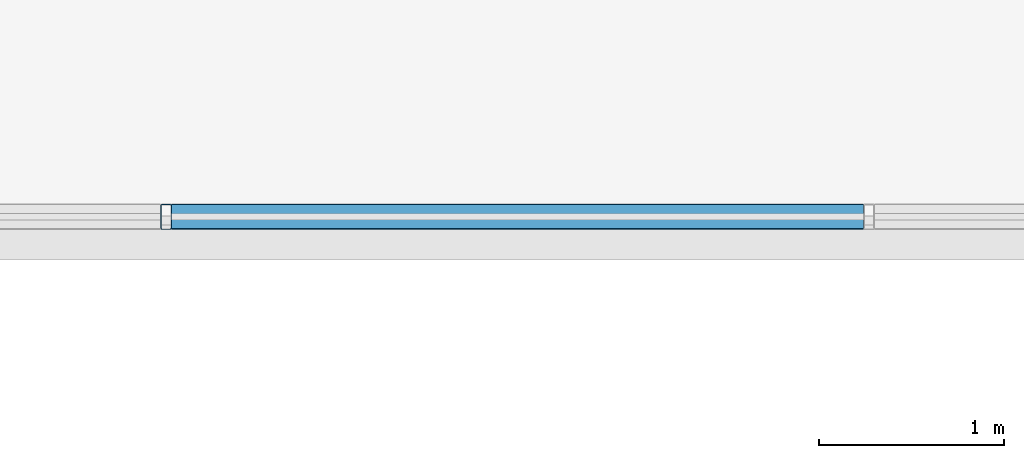
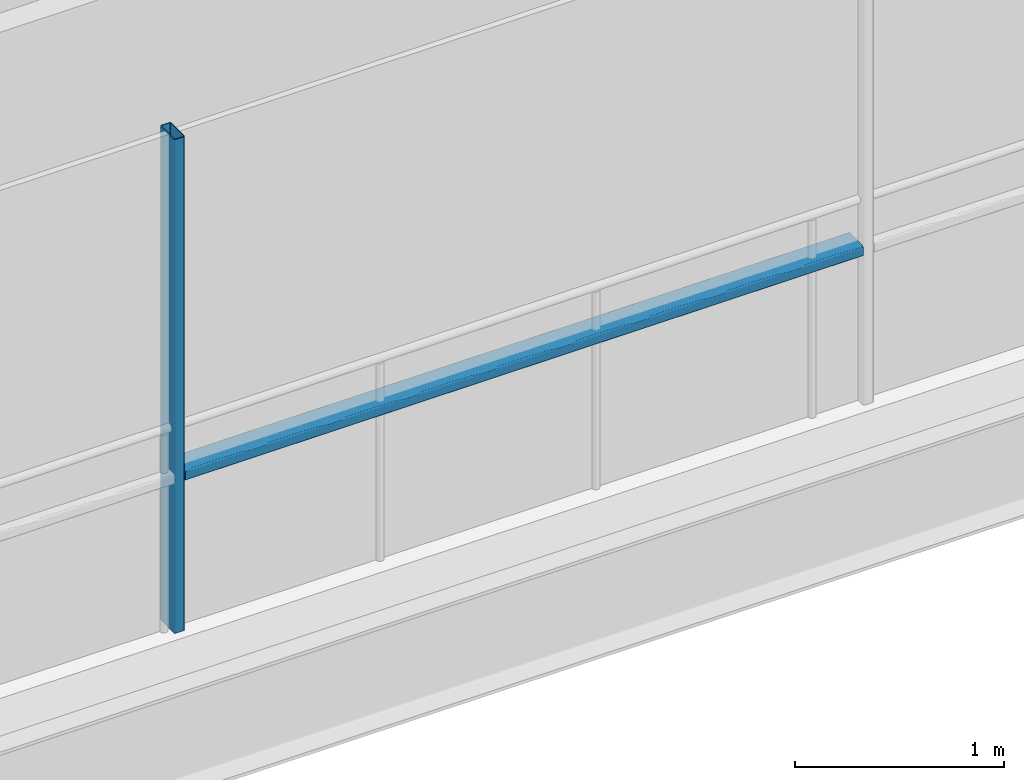
# One storey, part 13 of 41: 2 members, 1 element without a shape of its own.
"""IFC4 building model written with IfcOpenShell, lengths in metres."""

from ifc_helpers import new_model, si_unit, direction, frame, origin, origin_2d, place, context, subcontext, project, spatial, hollow_rectangle, extrude, material, layer, layer_set, material_profile, profile_set, type_object, element, aggregate, save


model = new_model("IFC4")

# Units and contexts
model_context = context("Model", 3, precision=1e-05, world=origin(), true_north=direction((0.0, 1.0)))
body_context = subcontext(model_context, "Body", "Model", "MODEL_VIEW")
ifc_project = project(units=[si_unit("LENGTHUNIT", "METRE"), si_unit("AREAUNIT", "SQUARE_METRE"), si_unit("VOLUMEUNIT", "CUBIC_METRE"), si_unit("PLANEANGLEUNIT", "RADIAN"), si_unit("MASSUNIT", "GRAM", prefix="KILO")], contexts=[model_context])

# Site, building, storey
site_placement = place(None, origin())
site = spatial("IfcSite", under=ifc_project, at=site_placement, CompositionType="ELEMENT")
building_placement = place(site_placement, origin())
building = spatial("IfcBuilding", under=site, at=building_placement, Name="Brevholm Reach", CompositionType="ELEMENT")
storey_placement = place(building_placement, frame((0.0, 0.0, 163.5)))
storey = spatial("IfcBuildingStorey", under=building, at=storey_placement, Name="L49", CompositionType="ELEMENT", Elevation=163.5)

# Curtain wall, members
ifc_material_1 = material(Name="Dark Anodised Aluminium 6063-T6 and Solar-Control Glass", Category="aluminium")
ifc_layer = layer(ifc_material_1, 0.139892578125)
ifc_layer_set = layer_set([ifc_layer], Name="Dark Anodised Aluminium 6063-T6 and Solar-Control Glass")
curtain_wall_type = type_object("IfcCurtainWallType", Name="CW-02", PredefinedType="NOTDEFINED", material=ifc_layer_set)
curtain_wall_placement = place(storey_placement, origin())
curtain_wall = element("IfcCurtainWall", 1, at=curtain_wall_placement, inside=storey, type_object=curtain_wall_type, Name="L49 Curtain Wall CW-02", PredefinedType="NOTDEFINED")
ifc_material_2 = material(Name="Dark Anodised Aluminium 6063-T6", Category="aluminium")
ifc_material_profile_1 = material_profile(ifc_material_2, hollow_rectangle(XDim=0.06005859375, YDim=0.139892578125, WallThickness=0.0048828125, InnerFilletRadius=0.0048828125, OuterFilletRadius=0.010009765625, at=origin_2d()), Name="RHS 140x60x5")
ifc_profile_set_1 = profile_set([ifc_material_profile_1], Name="Dark Anodised Aluminium 6063-T6")
member_type_1 = type_object("IfcMemberType", Name="CWM-140", PredefinedType="MULLION", material=ifc_profile_set_1)
member_1_placement = place(storey_placement, frame((30.050048828125, 26.6201171875, 0.0), z_axis=(0.0, 0.0, 1.0), x_axis=(-1.0, 0.0, 0.0)))
member_1 = element("IfcMember", 2, at=member_1_placement, type_object=member_type_1, Name="CM-140 Mullion 3", PredefinedType="MULLION", context=body_context, shape_type="SweptSolid", body=[
    extrude(hollow_rectangle(XDim=0.06005859375, YDim=0.139892578125, WallThickness=0.0048828125, InnerFilletRadius=0.0048828125, OuterFilletRadius=0.010009765625, at=origin_2d()), origin(), (0.0, 0.0, 1.0), 2.8798828125),
])
ifc_material_3 = material(Name="Dark Anodised Aluminium 6063-T6", Category="aluminium")
ifc_material_profile_2 = material_profile(ifc_material_3, hollow_rectangle(XDim=0.06005859375, YDim=0.139892578125, WallThickness=0.0048828125, InnerFilletRadius=0.0048828125, OuterFilletRadius=0.010009765625, at=origin_2d()), Name="RHS 140x60x5")
ifc_profile_set_2 = profile_set([ifc_material_profile_2], Name="Dark Anodised Aluminium 6063-T6")
member_type_2 = type_object("IfcMemberType", Name="CWT-140", PredefinedType="NOTDEFINED", material=ifc_profile_set_2)
member_2_placement = place(storey_placement, frame((33.820068359375, 26.6201171875, 0.89990234375), z_axis=(-1.0, 0.0, 0.0), x_axis=(0.0, 0.0, 1.0)))
member_2 = element("IfcMember", 3, at=member_2_placement, type_object=member_type_2, Name="CT-140 Transom 2.1", ObjectType="TRANSOM", PredefinedType="USERDEFINED", context=body_context, shape_type="SweptSolid", body=[
    extrude(hollow_rectangle(XDim=0.06005859375, YDim=0.139892578125, WallThickness=0.0048828125, InnerFilletRadius=0.0048828125, OuterFilletRadius=0.010009765625, at=origin_2d()), origin(), (0.0, 0.0, 1.0), 3.739990234375),
])
aggregate(curtain_wall, [member_1, member_2])

save(model, "model.ifc")
